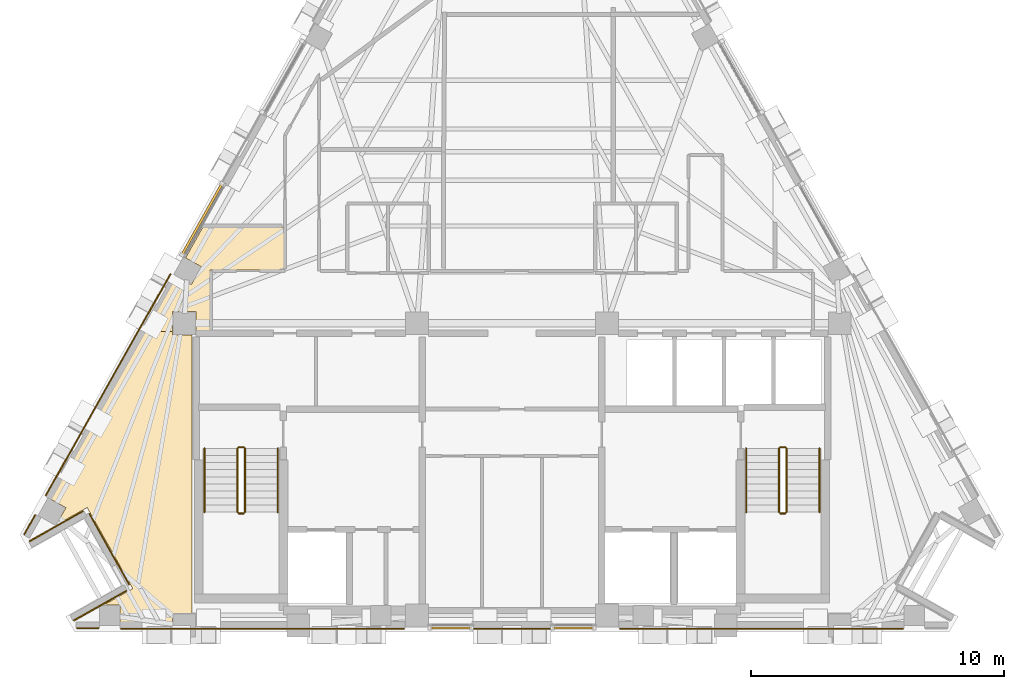
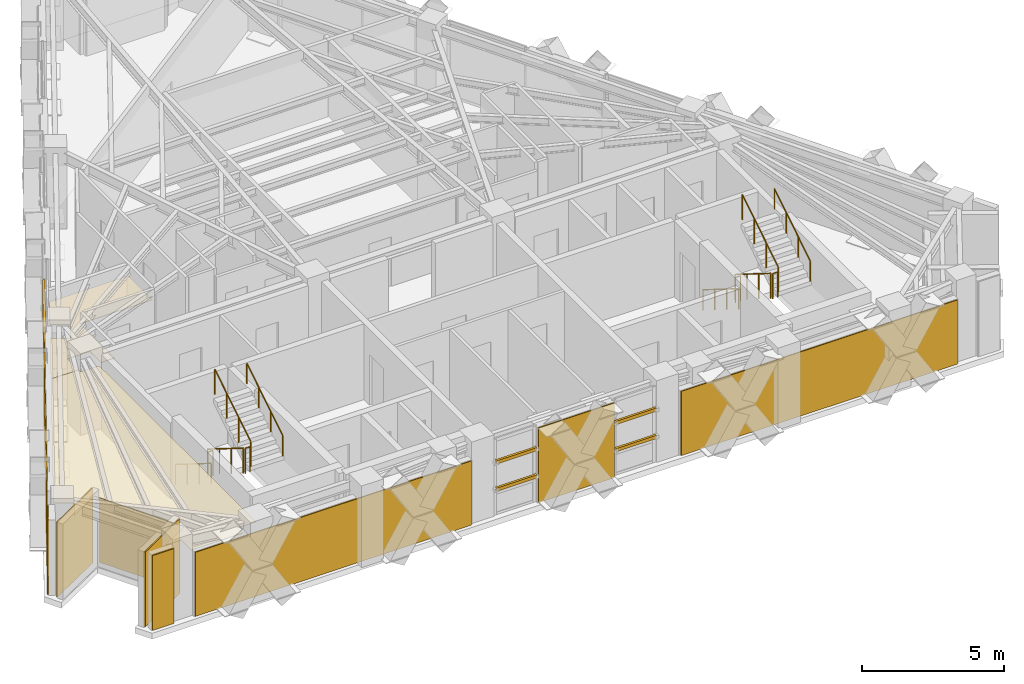
# One storey, part 10 of 11: 12 railings, 11 coverings, 6 shading devices.
"""IFC4 building model written with IfcOpenShell, lengths in metres."""

from ifc_helpers import new_model, si_unit, direction, frame, origin, origin_2d, place, context, subcontext, project, spatial, polyline, rectangle, circle, outline, extrude, material, layer, layer_set, material_profile, profile_set, type_object, element, save


model = new_model("IFC4")

# Units and contexts
model_context = context("Model", 3, precision=1e-05, world=origin(), true_north=direction((0.0, 1.0)))
body_context = subcontext(model_context, "Body", "Model", "MODEL_VIEW")
ifc_project = project(units=[si_unit("LENGTHUNIT", "METRE"), si_unit("AREAUNIT", "SQUARE_METRE"), si_unit("VOLUMEUNIT", "CUBIC_METRE"), si_unit("PLANEANGLEUNIT", "RADIAN"), si_unit("MASSUNIT", "GRAM", prefix="KILO")], contexts=[model_context])

# Site, building, storey
site_placement = place(None, origin())
site = spatial("IfcSite", under=ifc_project, at=site_placement, CompositionType="ELEMENT")
building_placement = place(site_placement, origin())
building = spatial("IfcBuilding", under=site, at=building_placement, Name="Quenlor Broadcast Tower", CompositionType="ELEMENT")
storey_placement = place(building_placement, frame((0.0, 0.0, 242.89990234375)))
storey = spatial("IfcBuildingStorey", under=building, at=storey_placement, Name="L67", CompositionType="ELEMENT", Elevation=242.89990234375)

# Coverings
ifc_material_1 = material(Name="Acoustic Mineral Fibre Board", Category="other")
ifc_layer_1 = layer(ifc_material_1, 0.02490234375)
ifc_layer_set_1 = layer_set([ifc_layer_1], Name="Acoustic Perforated Mineral Tile Ceiling 25")
covering_type_1 = type_object("IfcCoveringType", Name="Acoustic Perforated Mineral Tile Ceiling 25", PredefinedType="CEILING", material=ifc_layer_set_1)
covering_1_placement = place(storey_placement, frame((0.0, 0.0, 2.714599609375)))
element("IfcCovering", 1, at=covering_1_placement, inside=storey, type_object=covering_type_1, Name="L67 Acoustic Ceiling L67-32", PredefinedType="CEILING", context=body_context, shape_type="SweptSolid", body=[
    extrude(outline(polyline([(-13.295654296875, -2.930419921875), (-12.669921875, -3.2822265625), (-12.27001953125, -2.571044921875), (-12.895751953125, -2.218994140625), (-12.206298828125, -0.993408203125), (-9.0, -0.993408203125), (-9.0, -2.699951171875), (-11.929931640625, -2.699951171875), (-11.929931640625, -5.1201171875), (-12.491943359375, -5.1201171875), (-12.491943359375, -4.342041015625), (-13.407958984375, -4.342041015625), (-13.407958984375, -5.1201171875), (-14.52734375, -5.1201171875), (-13.295654296875, -2.930419921875)])), origin(), (0.0, 0.0, 1.0), 0.025146484375),
])
covering_2_placement = place(storey_placement, frame((0.0, 0.0, 2.714599609375)))
element("IfcCovering", 2, at=covering_2_placement, inside=storey, type_object=covering_type_1, Name="L67 Acoustic Ceiling L67-32-2", PredefinedType="CEILING", context=body_context, shape_type="SweptSolid", body=[
    extrude(outline(polyline([(-17.626708984375, -12.09423828125), (-18.25244140625, -11.7421875), (-14.52734375, -5.1201171875), (-13.407958984375, -5.1201171875), (-13.407958984375, -5.258056640625), (-12.64990234375, -5.258056640625), (-12.64990234375, -16.2919921875), (-13.407958984375, -16.2919921875), (-13.407958984375, -16.659912109375), (-15.489501953125, -16.659912109375), (-15.489501953125, -15.94189453125), (-16.1435546875, -15.94189453125), (-14.983642578125, -15.28955078125), (-16.785888671875, -12.085693359375), (-18.0087890625, -12.773681640625), (-17.626708984375, -12.09423828125)])), origin(), (0.0, 0.0, 1.0), 0.025146484375),
])

# Shading devices
ifc_material_2 = material(Name="Architectural Terracotta Ceramic", Category="masonry")
ifc_material_profile = material_profile(ifc_material_2, rectangle(XDim=0.090087890625, YDim=0.139892578125, at=origin_2d()))
ifc_profile_set = profile_set([ifc_material_profile], Name="Architectural Terracotta Ceramic BAG90x140")
shading_device_type = type_object("IfcShadingDeviceType", Name="Copper Terracotta Baguette Solar Screen 140", PredefinedType="USERDEFINED", material=ifc_profile_set)
for number, where, z_axis, x_axis, name in (
    (3, (3.24755859375, -16.843017578125, 1.170166015625), (-1.0, 0.0, 0.0), (0.0, -1.0, 0.0), "L67 Terracotta Baguette Screen 1"),
    (4, (3.24755859375, -16.843017578125, 2.340087890625), (-1.0, 0.0, 0.0), (0.0, -1.0, 0.0), "L67 Terracotta Baguette Screen 2"),
    (5, (-1.60400390625, -16.843017578125, 1.170166015625), (-1.0, 0.0, 0.0), (0.0, -1.0, 0.0), "L67 Terracotta Baguette Screen 1"),
    (6, (-1.60400390625, -16.843017578125, 2.340087890625), (-1.0, 0.0, 0.0), (0.0, -1.0, 0.0), "L67 Terracotta Baguette Screen 2"),
):
    element("IfcShadingDevice", number, at=place(storey_placement, frame(where, z_axis=z_axis, x_axis=x_axis)), inside=storey, type_object=shading_device_type, Name=name, ObjectType="BAGUETTE", PredefinedType="USERDEFINED", context=body_context, shape_type="SweptSolid", body=[
        extrude(rectangle(XDim=0.090087890625, YDim=0.139892578125, at=origin_2d()), origin(), (0.0, 0.0, 1.0), 1.6435546875),
    ])
for number, where, z_axis, x_axis, name in (
    (7, (-13.033203125, -2.090576171875, 1.170166015625), (0.490203442487, 0.871608045496, 0.0), (-0.871608045496, 0.490203442487, 0.0), "L67 Terracotta Baguette Screen 1"),
    (8, (-13.033203125, -2.090576171875, 2.340087890625), (0.490203442487, 0.871608045496, 0.0), (-0.871608045496, 0.490203442487, 0.0), "L67 Terracotta Baguette Screen 2"),
):
    element("IfcShadingDevice", number, at=place(storey_placement, frame(where, z_axis=z_axis, x_axis=x_axis)), inside=storey, type_object=shading_device_type, Name=name, ObjectType="BAGUETTE", PredefinedType="USERDEFINED", context=body_context, shape_type="SweptSolid", body=[
        extrude(rectangle(XDim=0.090087890625, YDim=0.139892578125, at=origin_2d()), origin(), (0.0, 0.0, 1.0), 3.208984375),
    ])

# Coverings
ifc_material_3 = material(Name="Architectural Terracotta Ceramic", Category="masonry")
ifc_layer_2 = layer(ifc_material_3, 0.044921875)
ifc_layer_set_2 = layer_set([ifc_layer_2], Name="Fluted Terracotta Rainscreen Cladding Panel")
covering_type_2 = type_object("IfcCoveringType", Name="Fluted Terracotta Rainscreen Cladding Panel", PredefinedType="CLADDING", material=ifc_layer_set_2)
covering_3_placement = place(storey_placement, frame((0.0, 0.0, 0.02001953125)))
element("IfcCovering", 9, at=covering_3_placement, inside=storey, type_object=covering_type_2, Name="L67 Terracotta Rainscreen Cladding L67-SHD-SS1", PredefinedType="CLADDING", context=body_context, shape_type="SweptSolid", body=[
    extrude(outline(polyline([(-16.33251953125, -16.8369140625), (-17.18994140625, -16.8369140625), (-17.18994140625, -16.882080078125), (-16.33251953125, -16.882080078125), (-16.33251953125, -16.8369140625)])), origin(), (0.0, 0.0, 1.0), 3.2099609375),
])
covering_4_placement = place(storey_placement, frame((0.0, 0.0, 0.02001953125)))
element("IfcCovering", 10, at=covering_4_placement, inside=storey, type_object=covering_type_2, Name="L67 Terracotta Rainscreen Cladding L67-EW-SA", PredefinedType="CLADDING", context=body_context, shape_type="SweptSolid", body=[
    extrude(outline(polyline([(15.462646484375, -16.846923828125), (4.25, -16.846923828125), (4.25, -16.89208984375), (15.462646484375, -16.89208984375), (15.462646484375, -16.846923828125)])), origin(), (0.0, 0.0, 1.0), 2.749755859375),
])
covering_5_placement = place(storey_placement, frame((0.0, 0.0, 0.02001953125)))
element("IfcCovering", 11, at=covering_5_placement, inside=storey, type_object=covering_type_2, Name="L67 Terracotta Rainscreen Cladding L67-EW-SC", PredefinedType="CLADDING", context=body_context, shape_type="SweptSolid", body=[
    extrude(outline(polyline([(-4.25, -16.846923828125), (-15.462646484375, -16.846923828125), (-15.462646484375, -16.89208984375), (-4.25, -16.89208984375), (-4.25, -16.846923828125)])), origin(), (0.0, 0.0, 1.0), 2.749755859375),
])
covering_6_placement = place(storey_placement, frame((0.0, 0.0, 0.02001953125)))
element("IfcCovering", 12, at=covering_6_placement, inside=storey, type_object=covering_type_2, Name="L67 Terracotta Rainscreen Cladding L67-S-SP1", PredefinedType="CLADDING", context=body_context, shape_type="SweptSolid", body=[
    extrude(outline(polyline([(1.54150390625, -16.846923828125), (-1.54150390625, -16.846923828125), (-1.54150390625, -16.89208984375), (1.54150390625, -16.89208984375), (1.54150390625, -16.846923828125)])), origin(), (0.0, 0.0, 1.0), 3.2099609375),
])
covering_7_placement = place(storey_placement, frame((0.0, 0.0, 0.02001953125)))
element("IfcCovering", 13, at=covering_7_placement, inside=storey, type_object=covering_type_2, Name="L67 Terracotta Rainscreen Cladding L67-SHD-NWS0", PredefinedType="CLADDING", context=body_context, shape_type="SweptSolid", body=[
    extrude(outline(polyline([(-19.25390625, -13.161376953125), (-18.820068359375, -12.39013671875), (-18.859130859375, -12.3681640625), (-19.29296875, -13.139404296875), (-19.25390625, -13.161376953125)])), origin(), (0.0, 0.0, 1.0), 3.2099609375),
])
covering_8_placement = place(storey_placement, frame((0.0, 0.0, 0.02001953125)))
element("IfcCovering", 14, at=covering_8_placement, inside=storey, type_object=covering_type_2, Name="L67 Terracotta Rainscreen Cladding L67-EW-NWA", PredefinedType="CLADDING", context=body_context, shape_type="SweptSolid", body=[
    extrude(outline(polyline([(-18.402099609375, -11.626953125), (-13.471923828125, -2.862060546875), (-13.51123046875, -2.840087890625), (-18.44140625, -11.60498046875), (-18.402099609375, -11.626953125)])), origin(), (0.0, 0.0, 1.0), 3.2099609375),
])
covering_9_placement = place(storey_placement, frame((0.0, 0.0, 0.02001953125)))
element("IfcCovering", 15, at=covering_9_placement, inside=storey, type_object=covering_type_2, Name="L67 Terracotta Rainscreen Cladding L67-CNR-13", PredefinedType="CLADDING", context=body_context, shape_type="SweptSolid", body=[
    extrude(outline(polyline([(-19.062255859375, -13.444091796875), (-16.935546875, -12.247802734375), (-16.95751953125, -12.208740234375), (-19.084228515625, -13.405029296875), (-19.062255859375, -13.444091796875)])), origin(), (0.0, 0.0, 1.0), 3.2099609375),
])
covering_10_placement = place(storey_placement, frame((0.0, 0.0, 0.02001953125)))
element("IfcCovering", 16, at=covering_10_placement, inside=storey, type_object=covering_type_2, Name="L67 Terracotta Rainscreen Cladding L67-CNR-14", PredefinedType="CLADDING", context=body_context, shape_type="SweptSolid", body=[
    extrude(outline(polyline([(-16.72265625, -12.3369140625), (-15.14599609375, -15.139892578125), (-15.106689453125, -15.117919921875), (-16.683349609375, -12.31494140625), (-16.72265625, -12.3369140625)])), origin(), (0.0, 0.0, 1.0), 2.749755859375),
])
covering_11_placement = place(storey_placement, frame((0.0, 0.0, 0.02001953125)))
element("IfcCovering", 17, at=covering_11_placement, inside=storey, type_object=covering_type_2, Name="L67 Terracotta Rainscreen Cladding L67-CNR-15", PredefinedType="CLADDING", context=body_context, shape_type="SweptSolid", body=[
    extrude(outline(polyline([(-15.23486328125, -15.352783203125), (-17.32666015625, -16.529541015625), (-17.3046875, -16.568603515625), (-15.212890625, -15.39208984375), (-15.23486328125, -15.352783203125)])), origin(), (0.0, 0.0, 1.0), 3.2099609375),
])

# Railings
ifc_material_4 = material(Name="Anodised Aluminium", Category="aluminium")
railing_type_1 = type_object("IfcRailingType", Name="Stainless Aluminium Wall Handrail 900", PredefinedType="HANDRAIL", material=ifc_material_4)
railing_1_placement = place(storey_placement, frame((-12.14990234375, -9.75, 0.175048828125)))
element("IfcRailing", 18, at=railing_1_placement, inside=storey, type_object=railing_type_1, Name="L67 ST-1 stair handrail 1", PredefinedType="HANDRAIL", context=body_context, shape_type="SweptSolid", body=[
    extrude(circle(Radius=0.02392578125, at=origin_2d()), frame((0.0, 0.0, 0.8759765625), z_axis=(0.0, -0.848007534815, 0.529984170421), x_axis=(1.0, 0.0, 0.0)), (0.0, 0.0, 1.0), 2.9716796875),
    extrude(circle(Radius=0.02099609375, at=origin_2d()), origin(), (0.0, 0.0, 1.0), 0.851806640625),
    extrude(circle(Radius=0.02099609375, at=origin_2d()), frame((0.0, -0.840087890625, 0.52490234375)), (0.0, 0.0, 1.0), 0.851806640625),
    extrude(circle(Radius=0.02099609375, at=origin_2d()), frame((0.0, -1.679931640625, 1.050048828125)), (0.0, 0.0, 1.0), 0.851806640625),
    extrude(circle(Radius=0.02099609375, at=origin_2d()), frame((0.0, -2.52001953125, 1.574951171875)), (0.0, 0.0, 1.0), 0.851806640625),
])
railing_2_placement = place(storey_placement, frame((-9.25, -12.27001953125, 1.925048828125)))
element("IfcRailing", 19, at=railing_2_placement, inside=storey, type_object=railing_type_1, Name="L67 ST-1 stair handrail 2", PredefinedType="HANDRAIL", context=body_context, shape_type="SweptSolid", body=[
    extrude(circle(Radius=0.02392578125, at=origin_2d()), frame((0.0, 0.0, 0.8759765625), z_axis=(0.0, 0.848007534815, 0.529984170421), x_axis=(-1.0, 0.0, 0.0)), (0.0, 0.0, 1.0), 2.9716796875),
    extrude(circle(Radius=0.02099609375, at=origin_2d()), origin(), (0.0, 0.0, 1.0), 0.851806640625),
    extrude(circle(Radius=0.02099609375, at=origin_2d()), frame((0.0, 0.840087890625, 0.52490234375)), (0.0, 0.0, 1.0), 0.851806640625),
    extrude(circle(Radius=0.02099609375, at=origin_2d()), frame((0.0, 1.679931640625, 1.050048828125)), (0.0, 0.0, 1.0), 0.851806640625),
    extrude(circle(Radius=0.02099609375, at=origin_2d()), frame((0.0, 2.52001953125, 1.574951171875)), (0.0, 0.0, 1.0), 0.851806640625),
])
railing_3_placement = place(storey_placement, frame((9.25, -9.75, 0.175048828125)))
element("IfcRailing", 20, at=railing_3_placement, inside=storey, type_object=railing_type_1, Name="L67 ST-2 stair handrail 1", PredefinedType="HANDRAIL", context=body_context, shape_type="SweptSolid", body=[
    extrude(circle(Radius=0.02392578125, at=origin_2d()), frame((0.0, 0.0, 0.8759765625), z_axis=(0.0, -0.848007534815, 0.529984170421), x_axis=(1.0, 0.0, 0.0)), (0.0, 0.0, 1.0), 2.9716796875),
    extrude(circle(Radius=0.02099609375, at=origin_2d()), origin(), (0.0, 0.0, 1.0), 0.851806640625),
    extrude(circle(Radius=0.02099609375, at=origin_2d()), frame((0.0, -0.840087890625, 0.52490234375)), (0.0, 0.0, 1.0), 0.851806640625),
    extrude(circle(Radius=0.02099609375, at=origin_2d()), frame((0.0, -1.679931640625, 1.050048828125)), (0.0, 0.0, 1.0), 0.851806640625),
    extrude(circle(Radius=0.02099609375, at=origin_2d()), frame((0.0, -2.52001953125, 1.574951171875)), (0.0, 0.0, 1.0), 0.851806640625),
])
railing_4_placement = place(storey_placement, frame((12.14990234375, -12.27001953125, 1.925048828125)))
element("IfcRailing", 21, at=railing_4_placement, inside=storey, type_object=railing_type_1, Name="L67 ST-2 stair handrail 2", PredefinedType="HANDRAIL", context=body_context, shape_type="SweptSolid", body=[
    extrude(circle(Radius=0.02392578125, at=origin_2d()), frame((0.0, 0.0, 0.8759765625), z_axis=(0.0, 0.848007534815, 0.529984170421), x_axis=(-1.0, 0.0, 0.0)), (0.0, 0.0, 1.0), 2.9716796875),
    extrude(circle(Radius=0.02099609375, at=origin_2d()), origin(), (0.0, 0.0, 1.0), 0.851806640625),
    extrude(circle(Radius=0.02099609375, at=origin_2d()), frame((0.0, 0.840087890625, 0.52490234375)), (0.0, 0.0, 1.0), 0.851806640625),
    extrude(circle(Radius=0.02099609375, at=origin_2d()), frame((0.0, 1.679931640625, 1.050048828125)), (0.0, 0.0, 1.0), 0.851806640625),
    extrude(circle(Radius=0.02099609375, at=origin_2d()), frame((0.0, 2.52001953125, 1.574951171875)), (0.0, 0.0, 1.0), 0.851806640625),
])
ifc_material_5 = material(Name="Steel S355", Category="steel")
railing_type_2 = type_object("IfcRailingType", Name="Tubular Steel S355 Stair Guardrail 1100", PredefinedType="BALUSTRADE", material=ifc_material_5)
railing_5_placement = place(storey_placement, frame((-10.85009765625, -9.75, 0.175048828125)))
element("IfcRailing", 22, at=railing_5_placement, inside=storey, type_object=railing_type_2, Name="L67 ST-1 stair guard 1", PredefinedType="BALUSTRADE", context=body_context, shape_type="SweptSolid", body=[
    extrude(circle(Radius=0.02392578125, at=origin_2d()), frame((0.0, 0.0, 1.076171875), z_axis=(0.0, -0.848007534815, 0.529984170421), x_axis=(1.0, 0.0, 0.0)), (0.0, 0.0, 1.0), 2.9716796875),
    extrude(circle(Radius=0.02099609375, at=origin_2d()), origin(), (0.0, 0.0, 1.0), 1.052001953125),
    extrude(circle(Radius=0.02099609375, at=origin_2d()), frame((0.0, -0.840087890625, 0.52490234375)), (0.0, 0.0, 1.0), 1.052001953125),
    extrude(circle(Radius=0.02099609375, at=origin_2d()), frame((0.0, -1.679931640625, 1.050048828125)), (0.0, 0.0, 1.0), 1.052001953125),
    extrude(circle(Radius=0.02099609375, at=origin_2d()), frame((0.0, -2.52001953125, 1.574951171875)), (0.0, 0.0, 1.0), 1.052001953125),
])
railing_6_placement = place(storey_placement, frame((-10.800048828125, -12.320068359375, 1.75)))
element("IfcRailing", 23, at=railing_6_placement, inside=storey, type_object=railing_type_2, Name="L67 ST-1 stair guard 2", PredefinedType="BALUSTRADE", context=body_context, shape_type="SweptSolid", body=[
    extrude(circle(Radius=0.02392578125, at=origin_2d()), frame((0.0, 0.0, 1.076171875), z_axis=(1.0, 0.0, 0.0), x_axis=(0.0, 1.0, 0.0)), (0.0, 0.0, 1.0), 0.199951171875),
    extrude(circle(Radius=0.02099609375, at=origin_2d()), origin(), (0.0, 0.0, 1.0), 1.052001953125),
    extrude(circle(Radius=0.02099609375, at=origin_2d()), frame((0.199951171875, 0.0, 0.0)), (0.0, 0.0, 1.0), 1.052001953125),
])
railing_7_placement = place(storey_placement, frame((-10.550048828125, -12.27001953125, 1.925048828125)))
element("IfcRailing", 24, at=railing_7_placement, inside=storey, type_object=railing_type_2, Name="L67 ST-1 stair guard 3", PredefinedType="BALUSTRADE", context=body_context, shape_type="SweptSolid", body=[
    extrude(circle(Radius=0.02392578125, at=origin_2d()), frame((0.0, 0.0, 1.076171875), z_axis=(0.0, 0.848007534815, 0.529984170421), x_axis=(-1.0, 0.0, 0.0)), (0.0, 0.0, 1.0), 2.9716796875),
    extrude(circle(Radius=0.02099609375, at=origin_2d()), origin(), (0.0, 0.0, 1.0), 1.052001953125),
    extrude(circle(Radius=0.02099609375, at=origin_2d()), frame((0.0, 0.840087890625, 0.52490234375)), (0.0, 0.0, 1.0), 1.052001953125),
    extrude(circle(Radius=0.02099609375, at=origin_2d()), frame((0.0, 1.679931640625, 1.050048828125)), (0.0, 0.0, 1.0), 1.052001953125),
    extrude(circle(Radius=0.02099609375, at=origin_2d()), frame((0.0, 2.52001953125, 1.574951171875)), (0.0, 0.0, 1.0), 1.052001953125),
])
railing_8_placement = place(storey_placement, frame((-10.800048828125, -9.699951171875, 0.0)))
element("IfcRailing", 25, at=railing_8_placement, inside=storey, type_object=railing_type_2, Name="L67 ST-1 stair guard 4", PredefinedType="BALUSTRADE", context=body_context, shape_type="SweptSolid", body=[
    extrude(circle(Radius=0.02392578125, at=origin_2d()), frame((0.0, 0.0, 1.076171875), z_axis=(1.0, 0.0, 0.0), x_axis=(0.0, 1.0, 0.0)), (0.0, 0.0, 1.0), 0.199951171875),
    extrude(circle(Radius=0.02099609375, at=origin_2d()), origin(), (0.0, 0.0, 1.0), 1.052001953125),
    extrude(circle(Radius=0.02099609375, at=origin_2d()), frame((0.199951171875, 0.0, 0.0)), (0.0, 0.0, 1.0), 1.052001953125),
])
railing_9_placement = place(storey_placement, frame((10.550048828125, -9.75, 0.175048828125)))
element("IfcRailing", 26, at=railing_9_placement, inside=storey, type_object=railing_type_2, Name="L67 ST-2 stair guard 1", PredefinedType="BALUSTRADE", context=body_context, shape_type="SweptSolid", body=[
    extrude(circle(Radius=0.02392578125, at=origin_2d()), frame((0.0, 0.0, 1.076171875), z_axis=(0.0, -0.848007534815, 0.529984170421), x_axis=(1.0, 0.0, 0.0)), (0.0, 0.0, 1.0), 2.9716796875),
    extrude(circle(Radius=0.02099609375, at=origin_2d()), origin(), (0.0, 0.0, 1.0), 1.052001953125),
    extrude(circle(Radius=0.02099609375, at=origin_2d()), frame((0.0, -0.840087890625, 0.52490234375)), (0.0, 0.0, 1.0), 1.052001953125),
    extrude(circle(Radius=0.02099609375, at=origin_2d()), frame((0.0, -1.679931640625, 1.050048828125)), (0.0, 0.0, 1.0), 1.052001953125),
    extrude(circle(Radius=0.02099609375, at=origin_2d()), frame((0.0, -2.52001953125, 1.574951171875)), (0.0, 0.0, 1.0), 1.052001953125),
])
railing_10_placement = place(storey_placement, frame((10.60009765625, -12.320068359375, 1.75)))
element("IfcRailing", 27, at=railing_10_placement, inside=storey, type_object=railing_type_2, Name="L67 ST-2 stair guard 2", PredefinedType="BALUSTRADE", context=body_context, shape_type="SweptSolid", body=[
    extrude(circle(Radius=0.02392578125, at=origin_2d()), frame((0.0, 0.0, 1.076171875), z_axis=(1.0, 0.0, 0.0), x_axis=(0.0, 1.0, 0.0)), (0.0, 0.0, 1.0), 0.199951171875),
    extrude(circle(Radius=0.02099609375, at=origin_2d()), origin(), (0.0, 0.0, 1.0), 1.052001953125),
    extrude(circle(Radius=0.02099609375, at=origin_2d()), frame((0.199951171875, 0.0, 0.0)), (0.0, 0.0, 1.0), 1.052001953125),
])
railing_11_placement = place(storey_placement, frame((10.85009765625, -12.27001953125, 1.925048828125)))
element("IfcRailing", 28, at=railing_11_placement, inside=storey, type_object=railing_type_2, Name="L67 ST-2 stair guard 3", PredefinedType="BALUSTRADE", context=body_context, shape_type="SweptSolid", body=[
    extrude(circle(Radius=0.02392578125, at=origin_2d()), frame((0.0, 0.0, 1.076171875), z_axis=(0.0, 0.848007534815, 0.529984170421), x_axis=(-1.0, 0.0, 0.0)), (0.0, 0.0, 1.0), 2.9716796875),
    extrude(circle(Radius=0.02099609375, at=origin_2d()), origin(), (0.0, 0.0, 1.0), 1.052001953125),
    extrude(circle(Radius=0.02099609375, at=origin_2d()), frame((0.0, 0.840087890625, 0.52490234375)), (0.0, 0.0, 1.0), 1.052001953125),
    extrude(circle(Radius=0.02099609375, at=origin_2d()), frame((0.0, 1.679931640625, 1.050048828125)), (0.0, 0.0, 1.0), 1.052001953125),
    extrude(circle(Radius=0.02099609375, at=origin_2d()), frame((0.0, 2.52001953125, 1.574951171875)), (0.0, 0.0, 1.0), 1.052001953125),
])
railing_12_placement = place(storey_placement, frame((10.60009765625, -9.699951171875, 0.0)))
element("IfcRailing", 29, at=railing_12_placement, inside=storey, type_object=railing_type_2, Name="L67 ST-2 stair guard 4", PredefinedType="BALUSTRADE", context=body_context, shape_type="SweptSolid", body=[
    extrude(circle(Radius=0.02392578125, at=origin_2d()), frame((0.0, 0.0, 1.076171875), z_axis=(1.0, 0.0, 0.0), x_axis=(0.0, 1.0, 0.0)), (0.0, 0.0, 1.0), 0.199951171875),
    extrude(circle(Radius=0.02099609375, at=origin_2d()), origin(), (0.0, 0.0, 1.0), 1.052001953125),
    extrude(circle(Radius=0.02099609375, at=origin_2d()), frame((0.199951171875, 0.0, 0.0)), (0.0, 0.0, 1.0), 1.052001953125),
])

save(model, "model.ifc")
